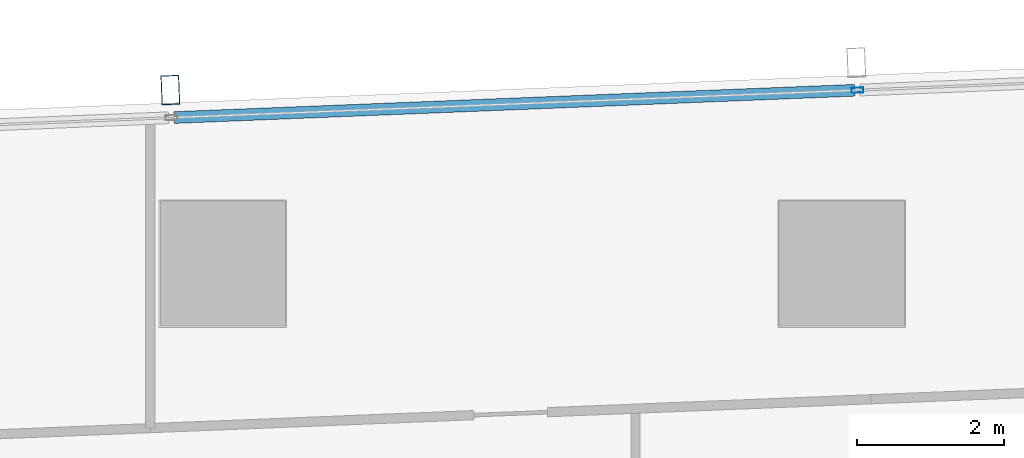
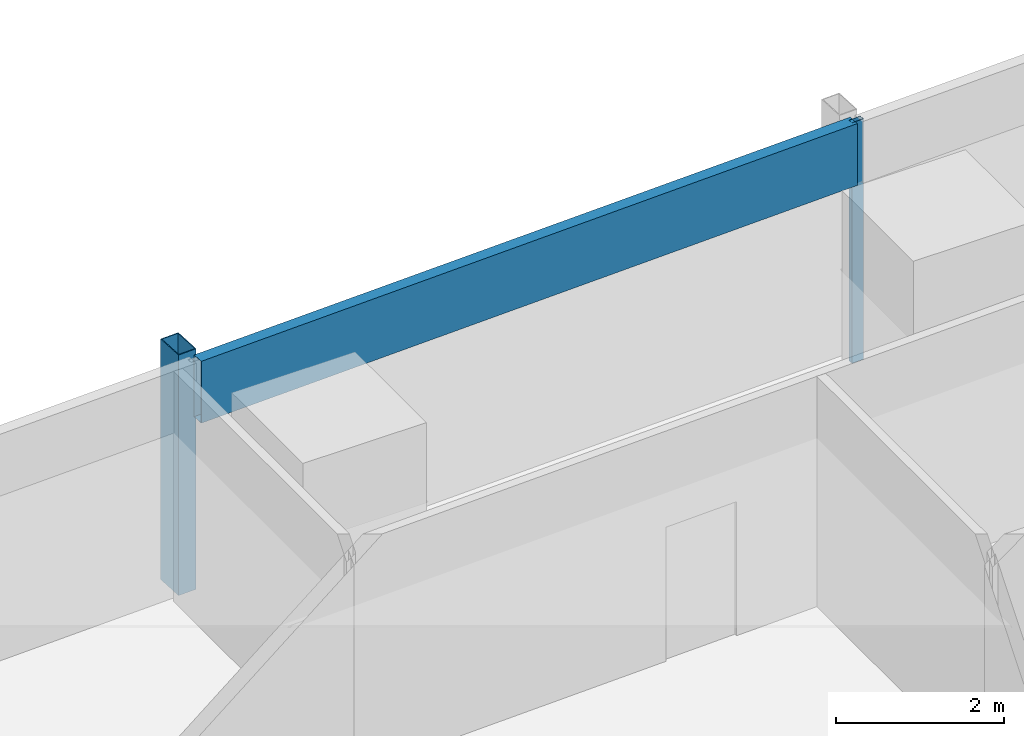
# One storey, part 16 of 40: 3 members, 1 element without a shape of its own.
"""IFC4 building model written with IfcOpenShell, lengths in metres."""

from ifc_helpers import new_model, si_unit, direction, frame, origin, origin_2d, place, context, subcontext, project, spatial, hollow_rectangle, extrude, material, material_profile, profile_set, type_object, element, aggregate, save


model = new_model("IFC4")

# Units and contexts
model_context = context("Model", 3, precision=1e-05, world=origin(), true_north=direction((0.0, 1.0)))
body_context = subcontext(model_context, "Body", "Model", "MODEL_VIEW")
ifc_project = project(units=[si_unit("LENGTHUNIT", "METRE"), si_unit("AREAUNIT", "SQUARE_METRE"), si_unit("VOLUMEUNIT", "CUBIC_METRE"), si_unit("PLANEANGLEUNIT", "RADIAN"), si_unit("MASSUNIT", "GRAM", prefix="KILO")], contexts=[model_context])

# Site, building, storey
site_placement = place(None, origin())
site = spatial("IfcSite", under=ifc_project, at=site_placement, CompositionType="ELEMENT")
building_placement = place(site_placement, origin())
building = spatial("IfcBuilding", under=site, at=building_placement, Name="Rekha Terrace Tower", CompositionType="ELEMENT")
storey_placement = place(building_placement, frame((0.0, 0.0, 129.050048828125)))
storey = spatial("IfcBuildingStorey", under=building, at=storey_placement, Name="L32", CompositionType="ELEMENT", Elevation=129.050048828125)

# Curtain wall, members
ifc_material_1 = material(Name="Aluminium framing", Category="aluminium")
curtain_wall_type = type_object("IfcCurtainWallType", Name="CW3 north unitised glazing", PredefinedType="USERDEFINED", material=ifc_material_1)
curtain_wall_placement = place(storey_placement, origin())
curtain_wall = element("IfcCurtainWall", 1, at=curtain_wall_placement, inside=storey, type_object=curtain_wall_type, Name="CW3 unitised curtain wall", ObjectType="UNITISED CURTAIN WALL", PredefinedType="USERDEFINED")
ifc_material_2 = material(Name="Steel S355 with fluorocarbon finish", Category="steel")
ifc_material_profile_1 = material_profile(ifc_material_2, hollow_rectangle(XDim=0.25, YDim=0.39990234375, WallThickness=0.012451171875, at=origin_2d()), Name="RHS400x250x12.5")
ifc_profile_set_1 = profile_set([ifc_material_profile_1], Name="Steel S355 with fluorocarbon finish")
member_type_1 = type_object("IfcMemberType", Name="BL1 facade blade RHS 400 x 250", PredefinedType="USERDEFINED", material=ifc_profile_set_1)
member_1_placement = place(storey_placement, frame((16.0869140625, 61.1552734375, 0.0), z_axis=(0.0, 0.0, 1.0), x_axis=(-0.999198382632, -0.040032388711, 0.0)))
member_1 = element("IfcMember", 2, at=member_1_placement, type_object=member_type_1, Name="Facade blade", ObjectType="FACADE BLADE", PredefinedType="USERDEFINED", context=body_context, shape_type="SweptSolid", body=[
    extrude(hollow_rectangle(XDim=0.25, YDim=0.39990234375, WallThickness=0.012451171875, at=origin_2d()), origin(), (0.0, 0.0, 1.0), 3.5),
])
ifc_material_3 = material(Name="Aluminium mullion section", Category="aluminium")
ifc_material_profile_2 = material_profile(ifc_material_3, hollow_rectangle(XDim=0.070068359375, YDim=0.159912109375, WallThickness=0.00390625, at=origin_2d()), Name="AL RHS 70x160")
ifc_profile_set_2 = profile_set([ifc_material_profile_2], Name="Aluminium mullion section")
member_type_2 = type_object("IfcMemberType", Name="CW3 mullion RHS 70 x 160", PredefinedType="MULLION", material=ifc_profile_set_2)
member_2_placement = place(storey_placement, frame((25.413818359375, 61.153564453125, 0.0), z_axis=(0.0, 0.0, 1.0), x_axis=(0.040031987119, -0.999198398721, 0.0)))
member_2 = element("IfcMember", 3, at=member_2_placement, type_object=member_type_2, Name="CW3 mullion 3", PredefinedType="MULLION", context=body_context, shape_type="SweptSolid", body=[
    extrude(hollow_rectangle(XDim=0.070068359375, YDim=0.159912109375, WallThickness=0.00390625, at=origin_2d()), origin(), (0.0, 0.0, 1.0), 3.5),
])
ifc_material_4 = material(Name="Insulated aluminium spandrel box", Category="aluminium")
ifc_material_profile_3 = material_profile(ifc_material_4, hollow_rectangle(XDim=0.159912109375, YDim=0.89990234375, WallThickness=0.0029296875, at=origin_2d()), Name="AL SPANDREL BOX 160x900")
ifc_profile_set_3 = profile_set([ifc_material_profile_3], Name="Insulated aluminium spandrel box")
member_type_3 = type_object("IfcMemberType", Name="CW3 spandrel transom 160 x 900", PredefinedType="USERDEFINED", material=ifc_profile_set_3)
member_3_placement = place(storey_placement, frame((25.37890625, 61.152099609375, 3.050048828125), z_axis=(-0.999199102424, -0.040014418831, 0.0), x_axis=(0.040014418831, -0.999199102424, 0.0)))
member_3 = element("IfcMember", 4, at=member_3_placement, type_object=member_type_3, Name="CW3 spandrel transom 3", ObjectType="TRANSOM", PredefinedType="USERDEFINED", context=body_context, shape_type="SweptSolid", body=[
    extrude(hollow_rectangle(XDim=0.159912109375, YDim=0.89990234375, WallThickness=0.0029296875, at=origin_2d()), origin(), (0.0, 0.0, 1.0), 9.24951171875),
])
aggregate(curtain_wall, [member_2, member_3, member_1])

save(model, "model.ifc")
